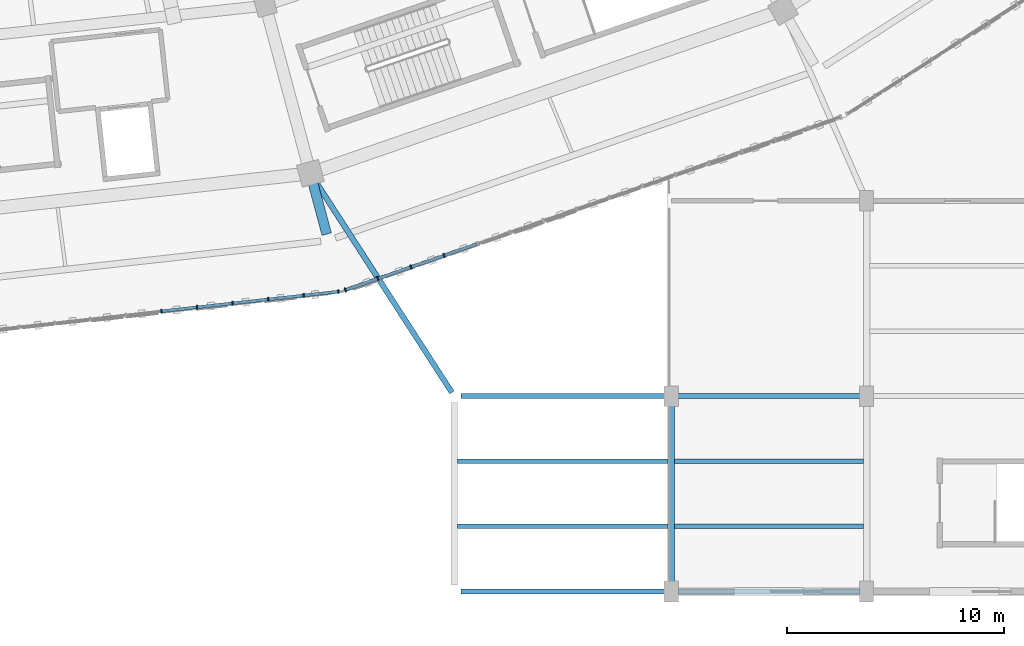
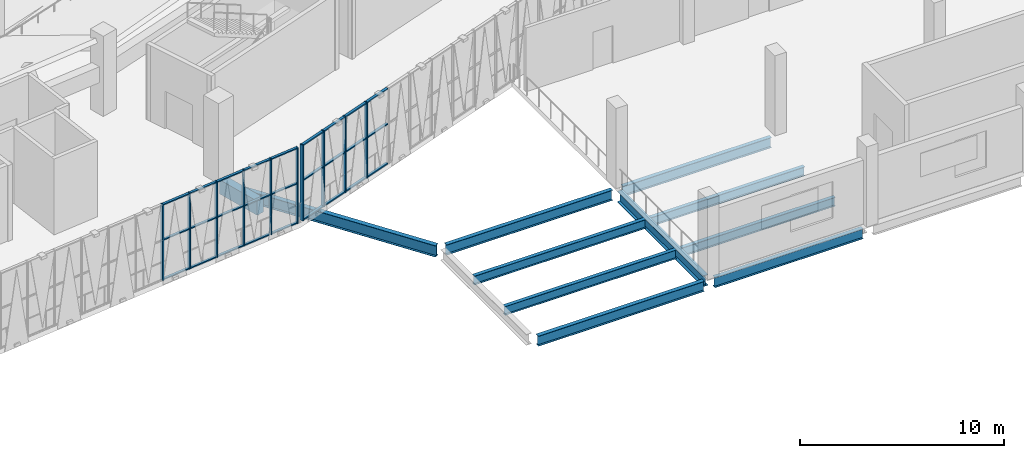
# One storey, part 25 of 152: 37 members, 11 beams, 2 elements without a shape of their own.
"""IFC4 building model written with IfcOpenShell, lengths in metres."""

import ifcopenshell
import ifcopenshell.guid

model = None  # the IFC model being written
_history = None  # IfcOwnerHistory: only IFC2X3 demands one
_inside = {}  # id of a spatial element -> (the spatial element, [elements in it])
_under = {}  # id of a project, library or spatial element -> (it, [spatial elements below it])
_declared = {}  # id of a project -> (the project, [libraries it declares])
_typed = {}  # id of a type object -> (the type object, [elements of that type])
_made_of = {}  # id of a material, layer set ... -> (it, [elements and type objects made of it])


def new_model(schema):
    """Start an empty IFC model of exactly this schema.

    Asked for "IFC4X3", IfcOpenShell would pick the latest addendum, in which some entities
    have other attributes; the version numbers below select the first issue.
    IFC2X3 requires an IfcOwnerHistory on every rooted entity: one is made here for all.
    """
    global model, _history
    if schema == "IFC4X3":
        model = ifcopenshell.file(schema_version=(4, 3, 0, 0))
    else:
        model = ifcopenshell.file(schema=schema)
    _inside.clear()
    _under.clear()
    _declared.clear()
    _typed.clear()
    _made_of.clear()
    _history = None
    if model.schema == "IFC2X3":
        org = make("IfcOrganization", Name="unknown")
        user = make(
            "IfcPersonAndOrganization",
            ThePerson=make("IfcPerson", FamilyName="unknown"),
            TheOrganization=org,
        )
        app = make(
            "IfcApplication",
            ApplicationDeveloper=org,
            Version="unknown",
            ApplicationFullName="unknown",
            ApplicationIdentifier="unknown",
        )
        _history = make(
            "IfcOwnerHistory",
            OwningUser=user,
            OwningApplication=app,
            ChangeAction="ADDED",
            CreationDate=0,
        )
    return model


def make(cls, **values):
    """One entity of the class cls with the attributes given. An attribute that is None is left unset."""
    return model.create_entity(
        cls, **{name: value for name, value in values.items() if value is not None}
    )


def rooted(cls, **values):
    """An entity with a GlobalId (a new one), such as an element, a storey or a relation."""
    return make(cls, GlobalId=ifcopenshell.guid.new(), OwnerHistory=_history, **values)


def si_unit(unit_type, name, prefix=None):
    """IfcSIUnit, for example si_unit("LENGTHUNIT", "METRE", prefix="MILLI")."""
    return make("IfcSIUnit", UnitType=unit_type, Prefix=prefix, Name=name)


def assignment(units):
    """IfcUnitAssignment: the units of a project."""
    return None if units is None else make("IfcUnitAssignment", Units=units)


def point(xyz):
    """IfcCartesianPoint."""
    return None if xyz is None else make("IfcCartesianPoint", Coordinates=xyz)


def direction(xyz):
    """IfcDirection."""
    return None if xyz is None else make("IfcDirection", DirectionRatios=xyz)


def frame(location, z_axis=None, x_axis=None):
    """IfcAxis2Placement3D, a coordinate frame: its origin and axes. An axis left out is left unset."""
    return make(
        "IfcAxis2Placement3D",
        Location=point(location),
        Axis=direction(z_axis),
        RefDirection=direction(x_axis),
    )


def frame_2d(location, x_axis=None):
    """IfcAxis2Placement2D, a coordinate frame in the plane: its origin and x axis."""
    return make(
        "IfcAxis2Placement2D", Location=point(location), RefDirection=direction(x_axis)
    )


def origin():
    """The frame at (0, 0, 0) with its axes left unset."""
    return frame((0.0, 0.0, 0.0))


def origin_2d():
    """The frame at (0, 0) in the plane with its x axis left unset."""
    return frame_2d((0.0, 0.0))


def place(relative_to, where):
    """IfcLocalPlacement: puts the frame where relative to a parent placement (None: the world)."""
    return make(
        "IfcLocalPlacement", PlacementRelTo=relative_to, RelativePlacement=where
    )


def context(
    kind, dimensions, precision=None, world=None, true_north=None, identifier=None
):
    """IfcGeometricRepresentationContext, for example the 3D "Model" context."""
    return make(
        "IfcGeometricRepresentationContext",
        ContextIdentifier=identifier,
        ContextType=kind,
        CoordinateSpaceDimension=dimensions,
        Precision=precision,
        WorldCoordinateSystem=world,
        TrueNorth=true_north,
    )


def subcontext(parent, identifier, kind, view, scale=None):
    """IfcGeometricRepresentationSubContext, for example "Body" below "Model"."""
    return make(
        "IfcGeometricRepresentationSubContext",
        ContextIdentifier=identifier,
        ContextType=kind,
        ParentContext=parent,
        TargetScale=scale,
        TargetView=view,
    )


def project(units=None, contexts=None):
    """IfcProject with its units and contexts."""
    return rooted(
        "IfcProject",
        Name="project",
        RepresentationContexts=contexts,
        UnitsInContext=assignment(units),
    )


def spatial(cls, under=None, at=None, **own):
    """A site, building, storey or space (cls), placed at a placement, below another one or the project."""
    s = rooted(cls, ObjectPlacement=at, **own)
    if under is not None:
        _under.setdefault(under.id(), (under, []))[1].append(s)
    return s


def profile(cls, at=None, kind="AREA", **sizes):
    """A parametric profile (cls). Its sizes go by their IFC names, for example OverallWidth=200.0."""
    return make(cls, ProfileType=kind, Position=at, **sizes)


def rectangle(**sizes):
    """IfcRectangleProfileDef."""
    return profile("IfcRectangleProfileDef", **sizes)


def i_section(**sizes):
    """IfcIShapeProfileDef."""
    return profile("IfcIShapeProfileDef", **sizes)


def extrude(swept, where, along, depth):
    """IfcExtrudedAreaSolid: the profile swept, set in the frame where, extruded along a direction by depth."""
    return make(
        "IfcExtrudedAreaSolid",
        SweptArea=swept,
        Position=where,
        ExtrudedDirection=direction(along),
        Depth=depth,
    )


def shape(context_of_items, identifier, shape_type, items):
    """IfcShapeRepresentation: the items that make up one representation, for example the "Body"."""
    return make(
        "IfcShapeRepresentation",
        ContextOfItems=context_of_items,
        RepresentationIdentifier=identifier,
        RepresentationType=shape_type,
        Items=items,
    )


def material(Name=None, Category=None):
    """IfcMaterial."""
    return make("IfcMaterial", Name=Name, Category=Category)


def material_profile(
    of_material, cross_section, Name=None, Category=None, Priority=None
):
    """IfcMaterialProfile: a cross section and its material."""
    return make(
        "IfcMaterialProfile",
        Name=Name,
        Material=of_material,
        Profile=cross_section,
        Priority=Priority,
        Category=Category,
    )


def profile_set(profiles, Name=None, composite=None):
    """IfcMaterialProfileSet."""
    return make(
        "IfcMaterialProfileSet",
        Name=Name,
        MaterialProfiles=profiles,
        CompositeProfile=composite,
    )


def made_of(thing, what):
    """Note that an element or type object is made of a material, layer set ...; save() writes the relation."""
    if what is not None:
        _made_of.setdefault(what.id(), (what, []))[1].append(thing)
    return thing


def type_object(cls, material=None, **own):
    """A type object (cls), such as IfcWallType, which elements share."""
    return made_of(rooted(cls, **own), material)


def element(
    cls,
    number,
    at=None,
    inside=None,
    cuts=None,
    type_object=None,
    material=None,
    context=None,
    identifier="Body",
    shape_type=None,
    held_by="IfcProductDefinitionShape",
    body=None,
    shapes=None,
    **own,
):
    """One element of the class cls, such as IfcWall. Its Tag is "e" and its number.

    at: its placement. inside: the storey or other place that contains it. cuts: it is an
    opening in that element (IfcRelVoidsElement). A single representation is given by context,
    identifier, shape_type and body (its items); several are given by shapes. held_by: the class
    of the entity that holds the representations. save() writes the other relations.
    """
    e = rooted(cls, Tag="e%d" % number, ObjectPlacement=at, **own)
    if body is not None:
        shapes = [shape(context, identifier, shape_type, body)]
    if shapes is not None:
        e.Representation = make(held_by, Representations=shapes)
    if inside is not None:
        _inside.setdefault(inside.id(), (inside, []))[1].append(e)
    if cuts is not None:
        rooted(
            "IfcRelVoidsElement", RelatingBuildingElement=cuts, RelatedOpeningElement=e
        )
    if type_object is not None:
        _typed.setdefault(type_object.id(), (type_object, []))[1].append(e)
    return made_of(e, material)


def aggregate(whole, parts):
    """IfcRelAggregates: a whole, such as a stair, and the parts it consists of."""
    return rooted("IfcRelAggregates", RelatingObject=whole, RelatedObjects=parts)


def save(model, path):
    """Write the relations noted so far, then the file.

    IfcRelAggregates (storeys below a building ...), IfcRelContainedInSpatialStructure (elements
    in a storey), IfcRelDefinesByType, IfcRelAssociatesMaterial and IfcRelDeclares: one each for
    every whole, place, type object, material and project.
    """
    for whole, parts in _under.values():
        aggregate(whole, parts)
    for where, things in _inside.values():
        rooted(
            "IfcRelContainedInSpatialStructure",
            RelatedElements=things,
            RelatingStructure=where,
        )
    for kind, things in _typed.values():
        rooted("IfcRelDefinesByType", RelatedObjects=things, RelatingType=kind)
    for what, things in _made_of.values():
        rooted("IfcRelAssociatesMaterial", RelatedObjects=things, RelatingMaterial=what)
    for by, libraries in _declared.values():
        rooted("IfcRelDeclares", RelatingContext=by, RelatedDefinitions=libraries)
    model.write(path)


model = new_model("IFC4")

# Units and contexts
model_context = context("Model", 3, precision=1e-05, world=origin(), true_north=direction((0.0, 1.0)))
body_context = subcontext(model_context, "Body", "Model", "MODEL_VIEW")
ifc_project = project(units=[si_unit("LENGTHUNIT", "METRE"), si_unit("AREAUNIT", "SQUARE_METRE"), si_unit("VOLUMEUNIT", "CUBIC_METRE"), si_unit("PLANEANGLEUNIT", "RADIAN"), si_unit("MASSUNIT", "GRAM", prefix="KILO")], contexts=[model_context])

# Site, building, storey
site_placement = place(None, origin())
site = spatial("IfcSite", under=ifc_project, at=site_placement, CompositionType="ELEMENT")
building_placement = place(site_placement, origin())
building = spatial("IfcBuilding", under=site, at=building_placement, Name="Zevraka Park Crest Stadium", CompositionType="ELEMENT")
storey_placement = place(building_placement, frame((0.0, 0.0, 15.0)))
storey = spatial("IfcBuildingStorey", under=building, at=storey_placement, Name="L03", CompositionType="ELEMENT", Elevation=15.0)

# Beams
ifc_material_1 = material(Name="Concrete C40/50", Category="concrete")
ifc_material_profile_1 = material_profile(ifc_material_1, rectangle(XDim=0.449951171875, YDim=0.85009765625, at=origin_2d()), Name="RC 850x450")
ifc_profile_set_1 = profile_set([ifc_material_profile_1], Name="Concrete C40/50")
beam_type_1 = type_object("IfcBeamType", Name="BG03", PredefinedType="BEAM", material=ifc_profile_set_1)
beam_1_placement = place(storey_placement, frame((135.448974609375, 18.97607421875, -0.43505859375), z_axis=(0.258919157159, -0.965898995784, 0.0), x_axis=(0.965898995784, 0.258919157159, 0.0)))
element("IfcBeam", 1, at=beam_1_placement, inside=storey, type_object=beam_type_1, Name="Radial Girder BG03 L03-DE-19", PredefinedType="BEAM", context=body_context, shape_type="SweptSolid", body=[
    extrude(rectangle(XDim=0.449951171875, YDim=0.85009765625, at=origin_2d()), origin(), (0.0, 0.0, 1.0), 2.599609375),
])
ifc_material_2 = material(Name="Steel S355", Category="steel")
ifc_material_profile_2 = material_profile(ifc_material_2, i_section(OverallWidth=0.253662109375, OverallDepth=0.68359375, WebThickness=0.012451171875, FlangeThickness=0.01904296875, at=origin_2d()), Name="UKB 686x254x140")
ifc_profile_set_2 = profile_set([ifc_material_profile_2], Name="Steel S355")
beam_type_2 = type_object("IfcBeamType", Name="BG05", PredefinedType="BEAM", material=ifc_profile_set_2)
beam_2_placement = place(storey_placement, frame((141.89208984375, 9.16796875, -0.649658203125), z_axis=(-0.542497990174, 0.840057099641, 0.0), x_axis=(-0.840057099641, -0.542497990174, 0.0)))
element("IfcBeam", 2, at=beam_2_placement, inside=storey, type_object=beam_type_2, Name="Wing Link Girder BG05 L03-16/B", PredefinedType="BEAM", context=body_context, shape_type="SweptSolid", body=[
    extrude(i_section(OverallWidth=0.253662109375, OverallDepth=0.68359375, WebThickness=0.012451171875, FlangeThickness=0.01904296875, at=origin_2d()), origin(), (0.0, 0.0, 1.0), 11.640869140625),
])
ifc_material_3 = material(Name="Steel S355", Category="steel")
ifc_material_profile_3 = material_profile(ifc_material_3, i_section(OverallWidth=0.300048828125, OverallDepth=0.64990234375, WebThickness=0.01611328125, FlangeThickness=0.031005859375, at=origin_2d()), Name="HEB 650")
ifc_profile_set_3 = profile_set([ifc_material_profile_3], Name="Steel S355")
beam_type_3 = type_object("IfcBeamType", Name="BG07", PredefinedType="BEAM", material=ifc_profile_set_3)
beam_3_placement = place(storey_placement, frame((152.0, 0.300048828125, -0.633056640625), z_axis=(0.0, 1.0, 0.0), x_axis=(-1.0, 0.0, 0.0)))
element("IfcBeam", 3, at=beam_3_placement, inside=storey, type_object=beam_type_3, Name="Wing Girder BG07 L03-17/AB", PredefinedType="BEAM", context=body_context, shape_type="SweptSolid", body=[
    extrude(i_section(OverallWidth=0.300048828125, OverallDepth=0.64990234375, WebThickness=0.01611328125, FlangeThickness=0.031005859375, at=origin_2d()), origin(), (0.0, 0.0, 1.0), 8.39990234375),
])
ifc_material_4 = material(Name="Steel S355", Category="steel")
ifc_material_profile_4 = material_profile(ifc_material_4, i_section(OverallWidth=0.22900390625, OverallDepth=0.612060546875, WebThickness=0.011962890625, FlangeThickness=0.01953125, at=origin_2d()), Name="UKB 610x229x125")
ifc_profile_set_4 = profile_set([ifc_material_profile_4], Name="Steel S355")
beam_type_4 = type_object("IfcBeamType", Name="BG09", PredefinedType="BEAM", material=ifc_profile_set_4)
for number, where, z_axis, x_axis, name in (
    (4, (142.300048828125, 0.0, -0.614013671875), (1.0, 0.0, 0.0), (0.0, 1.0, 0.0), "Wing Girder BG09 L03-1617/A"),
    (5, (142.300048828125, 9.0, -0.614013671875), (1.0, 0.0, 0.0), (0.0, 1.0, 0.0), "Wing Girder BG09 L03-1617/B"),
):
    element("IfcBeam", number, at=place(storey_placement, frame(where, z_axis=z_axis, x_axis=x_axis)), inside=storey, type_object=beam_type_4, Name=name, PredefinedType="BEAM", context=body_context, shape_type="SweptSolid", body=[
        extrude(i_section(OverallWidth=0.22900390625, OverallDepth=0.612060546875, WebThickness=0.011962890625, FlangeThickness=0.01953125, at=origin_2d()), origin(), (0.0, 0.0, 1.0), 9.39990234375),
    ])
for number, where, z_axis, x_axis, name in (
    (6, (152.300048828125, 0.0, -0.614013671875), (1.0, 0.0, 0.0), (0.0, 1.0, 0.0), "Wing Girder BG09 L03-1718/A"),
    (7, (152.300048828125, 9.0, -0.614013671875), (1.0, 0.0, 0.0), (0.0, 1.0, 0.0), "Wing Girder BG09 L03-1718/B"),
):
    element("IfcBeam", number, at=place(storey_placement, frame(where, z_axis=z_axis, x_axis=x_axis)), inside=storey, type_object=beam_type_4, Name=name, PredefinedType="BEAM", context=body_context, shape_type="SweptSolid", body=[
        extrude(i_section(OverallWidth=0.22900390625, OverallDepth=0.612060546875, WebThickness=0.011962890625, FlangeThickness=0.01953125, at=origin_2d()), origin(), (0.0, 0.0, 1.0), 8.39990234375),
    ])

# Curtain wall, members
ifc_material_5 = material(Name="Anodised architectural aluminium and laminated safety glass", Category="aluminium")
curtain_wall_type_1 = type_object("IfcCurtainWallType", Name="CW11", PredefinedType="NOTDEFINED", material=ifc_material_5)
curtain_wall_1_placement = place(storey_placement, origin())
curtain_wall_1 = element("IfcCurtainWall", 8, at=curtain_wall_1_placement, inside=storey, type_object=curtain_wall_type_1, Name="Unitised Ring Curtain Wall CW11 L03-18", PredefinedType="NOTDEFINED")
ifc_material_6 = material(Name="Anodised architectural aluminium", Category="aluminium")
ifc_material_profile_5 = material_profile(ifc_material_6, rectangle(XDim=0.179931640625, YDim=0.06494140625, at=origin_2d()), Name="ALU MULLION 180x65")
ifc_profile_set_5 = profile_set([ifc_material_profile_5], Name="Anodised architectural aluminium")
member_type_1 = type_object("IfcMemberType", Name="CM02", PredefinedType="MULLION", material=ifc_profile_set_5)
member_1_placement = place(storey_placement, frame((128.50927734375, 12.914306640625, 0.0), z_axis=(0.0, 0.0, 1.0), x_axis=(-0.110396006373, 0.993887680665, 0.0)))
member_1 = element("IfcMember", 9, at=member_1_placement, type_object=member_type_1, Name="CW11 mullion 11", PredefinedType="MULLION", context=body_context, shape_type="SweptSolid", body=[
    extrude(rectangle(XDim=0.179931640625, YDim=0.06494140625, at=origin_2d()), origin(), (0.0, 0.0, 1.0), 4.5400390625),
])
member_2_placement = place(storey_placement, frame((130.147216796875, 13.09619140625, 0.0), z_axis=(0.0, 0.0, 1.0), x_axis=(-0.110396006373, 0.993887680665, 0.0)))
member_2 = element("IfcMember", 10, at=member_2_placement, type_object=member_type_1, Name="CW11 mullion 12", PredefinedType="MULLION", context=body_context, shape_type="SweptSolid", body=[
    extrude(rectangle(XDim=0.179931640625, YDim=0.06494140625, at=origin_2d()), origin(), (0.0, 0.0, 1.0), 4.5400390625),
])
member_3_placement = place(storey_placement, frame((131.78515625, 13.2783203125, 0.0), z_axis=(0.0, 0.0, 1.0), x_axis=(-0.110396006373, 0.993887680665, 0.0)))
member_3 = element("IfcMember", 11, at=member_3_placement, type_object=member_type_1, Name="CW11 mullion 13", PredefinedType="MULLION", context=body_context, shape_type="SweptSolid", body=[
    extrude(rectangle(XDim=0.179931640625, YDim=0.06494140625, at=origin_2d()), origin(), (0.0, 0.0, 1.0), 4.5400390625),
])
member_4_placement = place(storey_placement, frame((133.423095703125, 13.460205078125, 0.0), z_axis=(0.0, 0.0, 1.0), x_axis=(-0.110396006373, 0.993887680665, 0.0)))
member_4 = element("IfcMember", 12, at=member_4_placement, type_object=member_type_1, Name="CW11 mullion 14", PredefinedType="MULLION", context=body_context, shape_type="SweptSolid", body=[
    extrude(rectangle(XDim=0.179931640625, YDim=0.06494140625, at=origin_2d()), origin(), (0.0, 0.0, 1.0), 4.5400390625),
])
member_5_placement = place(storey_placement, frame((135.06103515625, 13.64208984375, 0.0), z_axis=(0.0, 0.0, 1.0), x_axis=(-0.110396006373, 0.993887680665, 0.0)))
member_5 = element("IfcMember", 13, at=member_5_placement, type_object=member_type_1, Name="CW11 mullion 15", PredefinedType="MULLION", context=body_context, shape_type="SweptSolid", body=[
    extrude(rectangle(XDim=0.179931640625, YDim=0.06494140625, at=origin_2d()), origin(), (0.0, 0.0, 1.0), 4.5400390625),
])
member_6_placement = place(storey_placement, frame((136.666748046875, 13.8203125, 0.0), z_axis=(0.0, 0.0, 1.0), x_axis=(-0.110396006373, 0.993887680665, 0.0)))
member_6 = element("IfcMember", 14, at=member_6_placement, type_object=member_type_1, Name="CW11 mullion 16", PredefinedType="MULLION", context=body_context, shape_type="SweptSolid", body=[
    extrude(rectangle(XDim=0.179931640625, YDim=0.06494140625, at=origin_2d()), origin(), (0.0, 0.0, 1.0), 4.5400390625),
])

ifc_material_7 = material(Name="Anodised architectural aluminium and laminated safety glass", Category="aluminium")
curtain_wall_type_2 = type_object("IfcCurtainWallType", Name="CW12", PredefinedType="NOTDEFINED", material=ifc_material_7)
curtain_wall_2_placement = place(storey_placement, origin())
curtain_wall_2 = element("IfcCurtainWall", 15, at=curtain_wall_2_placement, inside=storey, type_object=curtain_wall_type_2, Name="Unitised Ring Curtain Wall CW12 L03-19", PredefinedType="NOTDEFINED")
ifc_material_8 = material(Name="Anodised architectural aluminium", Category="aluminium")
ifc_material_profile_6 = material_profile(ifc_material_8, rectangle(XDim=0.199951171875, YDim=0.070068359375, at=origin_2d()), Name="ALU MULLION 200x70")
ifc_profile_set_6 = profile_set([ifc_material_profile_6], Name="Anodised architectural aluminium")
member_type_2 = type_object("IfcMemberType", Name="CM03", PredefinedType="MULLION", material=ifc_profile_set_6)
member_7_placement = place(storey_placement, frame((136.986083984375, 13.8935546875, 0.0), z_axis=(0.0, 0.0, 1.0), x_axis=(-0.329916814701, 0.944010008092, 0.0)))
member_7 = element("IfcMember", 16, at=member_7_placement, type_object=member_type_2, Name="CW12 mullion 1", PredefinedType="MULLION", context=body_context, shape_type="SweptSolid", body=[
    extrude(rectangle(XDim=0.199951171875, YDim=0.070068359375, at=origin_2d()), origin(), (0.0, 0.0, 1.0), 4.5400390625),
])
member_8_placement = place(storey_placement, frame((138.478759765625, 14.415283203125, 0.0), z_axis=(0.0, 0.0, 1.0), x_axis=(-0.329916814701, 0.944010008092, 0.0)))
member_8 = element("IfcMember", 17, at=member_8_placement, type_object=member_type_2, Name="CW12 mullion 2", PredefinedType="MULLION", context=body_context, shape_type="SweptSolid", body=[
    extrude(rectangle(XDim=0.199951171875, YDim=0.070068359375, at=origin_2d()), origin(), (0.0, 0.0, 1.0), 4.5400390625),
])
member_9_placement = place(storey_placement, frame((140.004638671875, 14.948486328125, 0.0), z_axis=(0.0, 0.0, 1.0), x_axis=(-0.329916814701, 0.944010008092, 0.0)))
member_9 = element("IfcMember", 18, at=member_9_placement, type_object=member_type_2, Name="CW12 mullion 3", PredefinedType="MULLION", context=body_context, shape_type="SweptSolid", body=[
    extrude(rectangle(XDim=0.199951171875, YDim=0.070068359375, at=origin_2d()), origin(), (0.0, 0.0, 1.0), 4.5400390625),
])
member_10_placement = place(storey_placement, frame((141.530517578125, 15.481689453125, 0.0), z_axis=(0.0, 0.0, 1.0), x_axis=(-0.329916814701, 0.944010008092, 0.0)))
member_10 = element("IfcMember", 19, at=member_10_placement, type_object=member_type_2, Name="CW12 mullion 4", PredefinedType="MULLION", context=body_context, shape_type="SweptSolid", body=[
    extrude(rectangle(XDim=0.199951171875, YDim=0.070068359375, at=origin_2d()), origin(), (0.0, 0.0, 1.0), 4.5400390625),
])

# Member
ifc_material_9 = material(Name="Anodised architectural aluminium", Category="aluminium")
ifc_material_profile_7 = material_profile(ifc_material_9, rectangle(XDim=0.139892578125, YDim=0.06494140625, at=origin_2d()), Name="ALU TRANSOM 140x65")
ifc_profile_set_7 = profile_set([ifc_material_profile_7], Name="Anodised architectural aluminium")
member_type_3 = type_object("IfcMemberType", Name="CT02", PredefinedType="USERDEFINED", material=ifc_profile_set_7)
member_11_placement = place(storey_placement, frame((128.541748046875, 12.91796875, 0.032470703125), z_axis=(0.993883734674, 0.110431526075, 0.0), x_axis=(-0.110431526075, 0.993883734674, 0.0)))
member_11 = element("IfcMember", 20, at=member_11_placement, type_object=member_type_3, Name="CW11 transom 11.1", ObjectType="TRANSOM", PredefinedType="USERDEFINED", context=body_context, shape_type="SweptSolid", body=[
    extrude(rectangle(XDim=0.139892578125, YDim=0.06494140625, at=origin_2d()), origin(), (0.0, 0.0, 1.0), 1.5830078125),
])

member_12_placement = place(storey_placement, frame((128.541748046875, 12.91796875, 2.39990234375), z_axis=(0.993883734674, 0.110431526075, 0.0), x_axis=(-0.110431526075, 0.993883734674, 0.0)))
member_12 = element("IfcMember", 21, at=member_12_placement, type_object=member_type_3, Name="CW11 transom 11.2", ObjectType="TRANSOM", PredefinedType="USERDEFINED", context=body_context, shape_type="SweptSolid", body=[
    extrude(rectangle(XDim=0.139892578125, YDim=0.06494140625, at=origin_2d()), origin(), (0.0, 0.0, 1.0), 1.5830078125),
])

member_13_placement = place(storey_placement, frame((128.541748046875, 12.91796875, 4.507568359375), z_axis=(0.993883734674, 0.110431526075, 0.0), x_axis=(-0.110431526075, 0.993883734674, 0.0)))
member_13 = element("IfcMember", 22, at=member_13_placement, type_object=member_type_3, Name="CW11 transom 11.3", ObjectType="TRANSOM", PredefinedType="USERDEFINED", context=body_context, shape_type="SweptSolid", body=[
    extrude(rectangle(XDim=0.139892578125, YDim=0.06494140625, at=origin_2d()), origin(), (0.0, 0.0, 1.0), 1.5830078125),
])

member_14_placement = place(storey_placement, frame((130.1796875, 13.099853515625, 0.032470703125), z_axis=(0.993883734674, 0.110431526075, 0.0), x_axis=(-0.110431526075, 0.993883734674, 0.0)))
member_14 = element("IfcMember", 23, at=member_14_placement, type_object=member_type_3, Name="CW11 transom 12.1", ObjectType="TRANSOM", PredefinedType="USERDEFINED", context=body_context, shape_type="SweptSolid", body=[
    extrude(rectangle(XDim=0.139892578125, YDim=0.06494140625, at=origin_2d()), origin(), (0.0, 0.0, 1.0), 1.5830078125),
])

member_15_placement = place(storey_placement, frame((130.1796875, 13.099853515625, 2.39990234375), z_axis=(0.993883734674, 0.110431526075, 0.0), x_axis=(-0.110431526075, 0.993883734674, 0.0)))
member_15 = element("IfcMember", 24, at=member_15_placement, type_object=member_type_3, Name="CW11 transom 12.2", ObjectType="TRANSOM", PredefinedType="USERDEFINED", context=body_context, shape_type="SweptSolid", body=[
    extrude(rectangle(XDim=0.139892578125, YDim=0.06494140625, at=origin_2d()), origin(), (0.0, 0.0, 1.0), 1.5830078125),
])

member_16_placement = place(storey_placement, frame((130.1796875, 13.099853515625, 4.507568359375), z_axis=(0.993883734674, 0.110431526075, 0.0), x_axis=(-0.110431526075, 0.993883734674, 0.0)))
member_16 = element("IfcMember", 25, at=member_16_placement, type_object=member_type_3, Name="CW11 transom 12.3", ObjectType="TRANSOM", PredefinedType="USERDEFINED", context=body_context, shape_type="SweptSolid", body=[
    extrude(rectangle(XDim=0.139892578125, YDim=0.06494140625, at=origin_2d()), origin(), (0.0, 0.0, 1.0), 1.5830078125),
])

member_17_placement = place(storey_placement, frame((131.8173828125, 13.28173828125, 0.032470703125), z_axis=(0.993885615143, 0.110414600534, 0.0), x_axis=(-0.110414600534, 0.993885615143, 0.0)))
member_17 = element("IfcMember", 26, at=member_17_placement, type_object=member_type_3, Name="CW11 transom 13.1", ObjectType="TRANSOM", PredefinedType="USERDEFINED", context=body_context, shape_type="SweptSolid", body=[
    extrude(rectangle(XDim=0.139892578125, YDim=0.06494140625, at=origin_2d()), origin(), (0.0, 0.0, 1.0), 1.583251953125),
])

member_18_placement = place(storey_placement, frame((131.8173828125, 13.28173828125, 2.39990234375), z_axis=(0.993885615143, 0.110414600534, 0.0), x_axis=(-0.110414600534, 0.993885615143, 0.0)))
member_18 = element("IfcMember", 27, at=member_18_placement, type_object=member_type_3, Name="CW11 transom 13.2", ObjectType="TRANSOM", PredefinedType="USERDEFINED", context=body_context, shape_type="SweptSolid", body=[
    extrude(rectangle(XDim=0.139892578125, YDim=0.06494140625, at=origin_2d()), origin(), (0.0, 0.0, 1.0), 1.583251953125),
])

member_19_placement = place(storey_placement, frame((131.8173828125, 13.28173828125, 4.507568359375), z_axis=(0.993885615143, 0.110414600534, 0.0), x_axis=(-0.110414600534, 0.993885615143, 0.0)))
member_19 = element("IfcMember", 28, at=member_19_placement, type_object=member_type_3, Name="CW11 transom 13.3", ObjectType="TRANSOM", PredefinedType="USERDEFINED", context=body_context, shape_type="SweptSolid", body=[
    extrude(rectangle(XDim=0.139892578125, YDim=0.06494140625, at=origin_2d()), origin(), (0.0, 0.0, 1.0), 1.583251953125),
])

member_20_placement = place(storey_placement, frame((133.455322265625, 13.463623046875, 0.032470703125), z_axis=(0.993885615143, 0.110414600534, 0.0), x_axis=(-0.110414600534, 0.993885615143, 0.0)))
member_20 = element("IfcMember", 29, at=member_20_placement, type_object=member_type_3, Name="CW11 transom 14.1", ObjectType="TRANSOM", PredefinedType="USERDEFINED", context=body_context, shape_type="SweptSolid", body=[
    extrude(rectangle(XDim=0.139892578125, YDim=0.06494140625, at=origin_2d()), origin(), (0.0, 0.0, 1.0), 1.583251953125),
])

member_21_placement = place(storey_placement, frame((133.455322265625, 13.463623046875, 2.39990234375), z_axis=(0.993885615143, 0.110414600534, 0.0), x_axis=(-0.110414600534, 0.993885615143, 0.0)))
member_21 = element("IfcMember", 30, at=member_21_placement, type_object=member_type_3, Name="CW11 transom 14.2", ObjectType="TRANSOM", PredefinedType="USERDEFINED", context=body_context, shape_type="SweptSolid", body=[
    extrude(rectangle(XDim=0.139892578125, YDim=0.06494140625, at=origin_2d()), origin(), (0.0, 0.0, 1.0), 1.583251953125),
])

member_22_placement = place(storey_placement, frame((133.455322265625, 13.463623046875, 4.507568359375), z_axis=(0.993885615143, 0.110414600534, 0.0), x_axis=(-0.110414600534, 0.993885615143, 0.0)))
member_22 = element("IfcMember", 31, at=member_22_placement, type_object=member_type_3, Name="CW11 transom 14.3", ObjectType="TRANSOM", PredefinedType="USERDEFINED", context=body_context, shape_type="SweptSolid", body=[
    extrude(rectangle(XDim=0.139892578125, YDim=0.06494140625, at=origin_2d()), origin(), (0.0, 0.0, 1.0), 1.583251953125),
])

member_23_placement = place(storey_placement, frame((135.09326171875, 13.645751953125, 0.032470703125), z_axis=(0.993889494064, 0.110379679236, 0.0), x_axis=(-0.110379679236, 0.993889494064, 0.0)))
member_23 = element("IfcMember", 32, at=member_23_placement, type_object=member_type_3, Name="CW11 transom 15.1", ObjectType="TRANSOM", PredefinedType="USERDEFINED", context=body_context, shape_type="SweptSolid", body=[
    extrude(rectangle(XDim=0.139892578125, YDim=0.06494140625, at=origin_2d()), origin(), (0.0, 0.0, 1.0), 1.550537109375),
])

member_24_placement = place(storey_placement, frame((135.09326171875, 13.645751953125, 2.39990234375), z_axis=(0.993889494064, 0.110379679236, 0.0), x_axis=(-0.110379679236, 0.993889494064, 0.0)))
member_24 = element("IfcMember", 33, at=member_24_placement, type_object=member_type_3, Name="CW11 transom 15.2", ObjectType="TRANSOM", PredefinedType="USERDEFINED", context=body_context, shape_type="SweptSolid", body=[
    extrude(rectangle(XDim=0.139892578125, YDim=0.06494140625, at=origin_2d()), origin(), (0.0, 0.0, 1.0), 1.550537109375),
])

member_25_placement = place(storey_placement, frame((135.09326171875, 13.645751953125, 4.507568359375), z_axis=(0.993889494064, 0.110379679236, 0.0), x_axis=(-0.110379679236, 0.993889494064, 0.0)))
member_25 = element("IfcMember", 34, at=member_25_placement, type_object=member_type_3, Name="CW11 transom 15.3", ObjectType="TRANSOM", PredefinedType="USERDEFINED", context=body_context, shape_type="SweptSolid", body=[
    extrude(rectangle(XDim=0.139892578125, YDim=0.06494140625, at=origin_2d()), origin(), (0.0, 0.0, 1.0), 1.550537109375),
])

aggregate(curtain_wall_1, [member_1, member_2, member_3, member_4, member_5, member_6, member_11, member_12, member_13, member_14, member_15, member_16, member_17, member_18, member_19, member_20, member_21, member_22, member_23, member_24, member_25])

ifc_material_10 = material(Name="Anodised architectural aluminium", Category="aluminium")
ifc_material_profile_8 = material_profile(ifc_material_10, rectangle(XDim=0.14990234375, YDim=0.070068359375, at=origin_2d()), Name="ALU TRANSOM 150x70")
ifc_profile_set_8 = profile_set([ifc_material_profile_8], Name="Anodised architectural aluminium")
member_type_4 = type_object("IfcMemberType", Name="CT03", PredefinedType="USERDEFINED", material=ifc_profile_set_8)
member_26_placement = place(storey_placement, frame((137.01904296875, 13.905029296875, 0.034912109375), z_axis=(0.943979170589, 0.330005038589, 0.0), x_axis=(-0.330005038589, 0.943979170589, 0.0)))
member_26 = element("IfcMember", 35, at=member_26_placement, type_object=member_type_4, Name="CW12 transom 1.1", ObjectType="TRANSOM", PredefinedType="USERDEFINED", context=body_context, shape_type="SweptSolid", body=[
    extrude(rectangle(XDim=0.14990234375, YDim=0.070068359375, at=origin_2d()), origin(), (0.0, 0.0, 1.0), 1.511474609375),
])

member_27_placement = place(storey_placement, frame((137.01904296875, 13.905029296875, 2.39990234375), z_axis=(0.943979170589, 0.330005038589, 0.0), x_axis=(-0.330005038589, 0.943979170589, 0.0)))
member_27 = element("IfcMember", 36, at=member_27_placement, type_object=member_type_4, Name="CW12 transom 1.2", ObjectType="TRANSOM", PredefinedType="USERDEFINED", context=body_context, shape_type="SweptSolid", body=[
    extrude(rectangle(XDim=0.14990234375, YDim=0.070068359375, at=origin_2d()), origin(), (0.0, 0.0, 1.0), 1.511474609375),
])

member_28_placement = place(storey_placement, frame((137.01904296875, 13.905029296875, 4.5048828125), z_axis=(0.943979170589, 0.330005038589, 0.0), x_axis=(-0.330005038589, 0.943979170589, 0.0)))
member_28 = element("IfcMember", 37, at=member_28_placement, type_object=member_type_4, Name="CW12 transom 1.3", ObjectType="TRANSOM", PredefinedType="USERDEFINED", context=body_context, shape_type="SweptSolid", body=[
    extrude(rectangle(XDim=0.14990234375, YDim=0.070068359375, at=origin_2d()), origin(), (0.0, 0.0, 1.0), 1.511474609375),
])

member_29_placement = place(storey_placement, frame((138.511962890625, 14.4267578125, 0.034912109375), z_axis=(0.943988739301, 0.329977666021, 0.0), x_axis=(-0.329977666021, 0.943988739301, 0.0)))
member_29 = element("IfcMember", 38, at=member_29_placement, type_object=member_type_4, Name="CW12 transom 2.1", ObjectType="TRANSOM", PredefinedType="USERDEFINED", context=body_context, shape_type="SweptSolid", body=[
    extrude(rectangle(XDim=0.14990234375, YDim=0.070068359375, at=origin_2d()), origin(), (0.0, 0.0, 1.0), 1.54638671875),
])

member_30_placement = place(storey_placement, frame((138.511962890625, 14.4267578125, 2.39990234375), z_axis=(0.943988739301, 0.329977666021, 0.0), x_axis=(-0.329977666021, 0.943988739301, 0.0)))
member_30 = element("IfcMember", 39, at=member_30_placement, type_object=member_type_4, Name="CW12 transom 2.2", ObjectType="TRANSOM", PredefinedType="USERDEFINED", context=body_context, shape_type="SweptSolid", body=[
    extrude(rectangle(XDim=0.14990234375, YDim=0.070068359375, at=origin_2d()), origin(), (0.0, 0.0, 1.0), 1.54638671875),
])

member_31_placement = place(storey_placement, frame((138.511962890625, 14.4267578125, 4.5048828125), z_axis=(0.943988739301, 0.329977666021, 0.0), x_axis=(-0.329977666021, 0.943988739301, 0.0)))
member_31 = element("IfcMember", 40, at=member_31_placement, type_object=member_type_4, Name="CW12 transom 2.3", ObjectType="TRANSOM", PredefinedType="USERDEFINED", context=body_context, shape_type="SweptSolid", body=[
    extrude(rectangle(XDim=0.14990234375, YDim=0.070068359375, at=origin_2d()), origin(), (0.0, 0.0, 1.0), 1.54638671875),
])

member_32_placement = place(storey_placement, frame((140.037841796875, 14.9599609375, 0.034912109375), z_axis=(0.943988739301, 0.329977666021, 0.0), x_axis=(-0.329977666021, 0.943988739301, 0.0)))
member_32 = element("IfcMember", 41, at=member_32_placement, type_object=member_type_4, Name="CW12 transom 3.1", ObjectType="TRANSOM", PredefinedType="USERDEFINED", context=body_context, shape_type="SweptSolid", body=[
    extrude(rectangle(XDim=0.14990234375, YDim=0.070068359375, at=origin_2d()), origin(), (0.0, 0.0, 1.0), 1.54638671875),
])

member_33_placement = place(storey_placement, frame((140.037841796875, 14.9599609375, 2.39990234375), z_axis=(0.943988739301, 0.329977666021, 0.0), x_axis=(-0.329977666021, 0.943988739301, 0.0)))
member_33 = element("IfcMember", 42, at=member_33_placement, type_object=member_type_4, Name="CW12 transom 3.2", ObjectType="TRANSOM", PredefinedType="USERDEFINED", context=body_context, shape_type="SweptSolid", body=[
    extrude(rectangle(XDim=0.14990234375, YDim=0.070068359375, at=origin_2d()), origin(), (0.0, 0.0, 1.0), 1.54638671875),
])

member_34_placement = place(storey_placement, frame((140.037841796875, 14.9599609375, 4.5048828125), z_axis=(0.943988739301, 0.329977666021, 0.0), x_axis=(-0.329977666021, 0.943988739301, 0.0)))
member_34 = element("IfcMember", 43, at=member_34_placement, type_object=member_type_4, Name="CW12 transom 3.3", ObjectType="TRANSOM", PredefinedType="USERDEFINED", context=body_context, shape_type="SweptSolid", body=[
    extrude(rectangle(XDim=0.14990234375, YDim=0.070068359375, at=origin_2d()), origin(), (0.0, 0.0, 1.0), 1.54638671875),
])

member_35_placement = place(storey_placement, frame((141.563720703125, 15.493408203125, 0.034912109375), z_axis=(0.944037911501, 0.329836962222, 0.0), x_axis=(-0.329836962222, 0.944037911501, 0.0)))
member_35 = element("IfcMember", 44, at=member_35_placement, type_object=member_type_4, Name="CW12 transom 4.1", ObjectType="TRANSOM", PredefinedType="USERDEFINED", context=body_context, shape_type="SweptSolid", body=[
    extrude(rectangle(XDim=0.14990234375, YDim=0.070068359375, at=origin_2d()), origin(), (0.0, 0.0, 1.0), 1.546142578125),
])

member_36_placement = place(storey_placement, frame((141.563720703125, 15.493408203125, 2.39990234375), z_axis=(0.944037911501, 0.329836962222, 0.0), x_axis=(-0.329836962222, 0.944037911501, 0.0)))
member_36 = element("IfcMember", 45, at=member_36_placement, type_object=member_type_4, Name="CW12 transom 4.2", ObjectType="TRANSOM", PredefinedType="USERDEFINED", context=body_context, shape_type="SweptSolid", body=[
    extrude(rectangle(XDim=0.14990234375, YDim=0.070068359375, at=origin_2d()), origin(), (0.0, 0.0, 1.0), 1.546142578125),
])

member_37_placement = place(storey_placement, frame((141.563720703125, 15.493408203125, 4.5048828125), z_axis=(0.944037911501, 0.329836962222, 0.0), x_axis=(-0.329836962222, 0.944037911501, 0.0)))
member_37 = element("IfcMember", 46, at=member_37_placement, type_object=member_type_4, Name="CW12 transom 4.3", ObjectType="TRANSOM", PredefinedType="USERDEFINED", context=body_context, shape_type="SweptSolid", body=[
    extrude(rectangle(XDim=0.14990234375, YDim=0.070068359375, at=origin_2d()), origin(), (0.0, 0.0, 1.0), 1.546142578125),
])

aggregate(curtain_wall_2, [member_7, member_8, member_9, member_10, member_26, member_27, member_28, member_29, member_30, member_31, member_32, member_33, member_34, member_35, member_36, member_37])

# Beams
ifc_material_11 = material(Name="Steel S355", Category="steel")
ifc_material_profile_9 = material_profile(ifc_material_11, i_section(OverallWidth=0.209228515625, OverallDepth=0.533203125, WebThickness=0.010009765625, FlangeThickness=0.015625, at=origin_2d()), Name="UKB 533x210x92")
ifc_profile_set_9 = profile_set([ifc_material_profile_9], Name="Steel S355")
beam_type_5 = type_object("IfcBeamType", Name="SJ05", PredefinedType="JOIST", material=ifc_profile_set_9)
for number, where, z_axis, x_axis, name in (
    (47, (142.14501953125, 3.0, -0.57666015625), (1.0, 0.0, 0.0), (0.0, 1.0, 0.0), "Wing Joist SJ05 L03-16/A-1"),
    (48, (142.14501953125, 6.0, -0.57666015625), (1.0, 0.0, 0.0), (0.0, 1.0, 0.0), "Wing Joist SJ05 L03-16/A-2"),
):
    element("IfcBeam", number, at=place(storey_placement, frame(where, z_axis=z_axis, x_axis=x_axis)), inside=storey, type_object=beam_type_5, Name=name, PredefinedType="JOIST", context=body_context, shape_type="SweptSolid", body=[
        extrude(i_section(OverallWidth=0.209228515625, OverallDepth=0.533203125, WebThickness=0.010009765625, FlangeThickness=0.015625, at=origin_2d()), origin(), (0.0, 0.0, 1.0), 9.7099609375),
    ])
for number, where, z_axis, x_axis, name in (
    (49, (152.14501953125, 3.0, -0.57666015625), (1.0, 0.0, 0.0), (0.0, 1.0, 0.0), "Wing Joist SJ05 L03-17/A-1"),
    (50, (152.14501953125, 6.0, -0.57666015625), (1.0, 0.0, 0.0), (0.0, 1.0, 0.0), "Wing Joist SJ05 L03-17/A-2"),
):
    element("IfcBeam", number, at=place(storey_placement, frame(where, z_axis=z_axis, x_axis=x_axis)), inside=storey, type_object=beam_type_5, Name=name, PredefinedType="JOIST", context=body_context, shape_type="SweptSolid", body=[
        extrude(i_section(OverallWidth=0.209228515625, OverallDepth=0.533203125, WebThickness=0.010009765625, FlangeThickness=0.015625, at=origin_2d()), origin(), (0.0, 0.0, 1.0), 8.7099609375),
    ])

save(model, "model.ifc")
